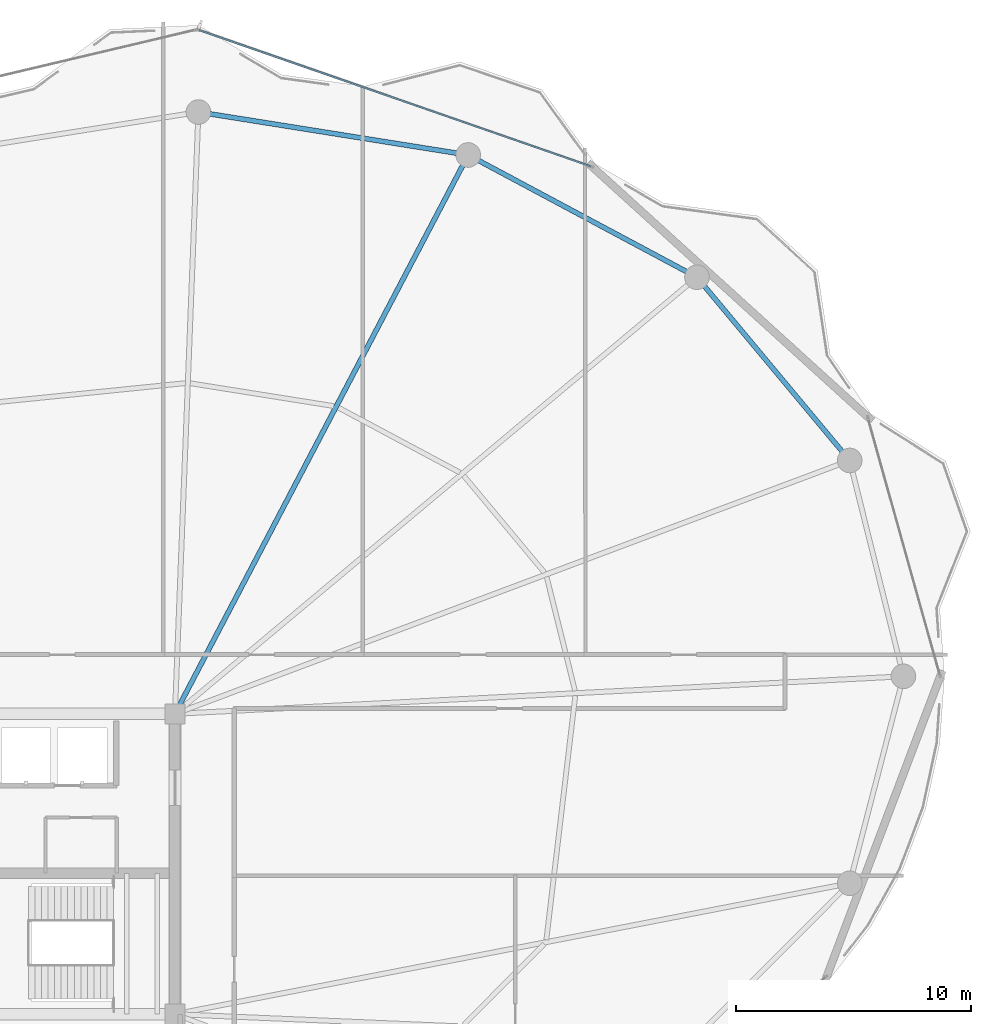
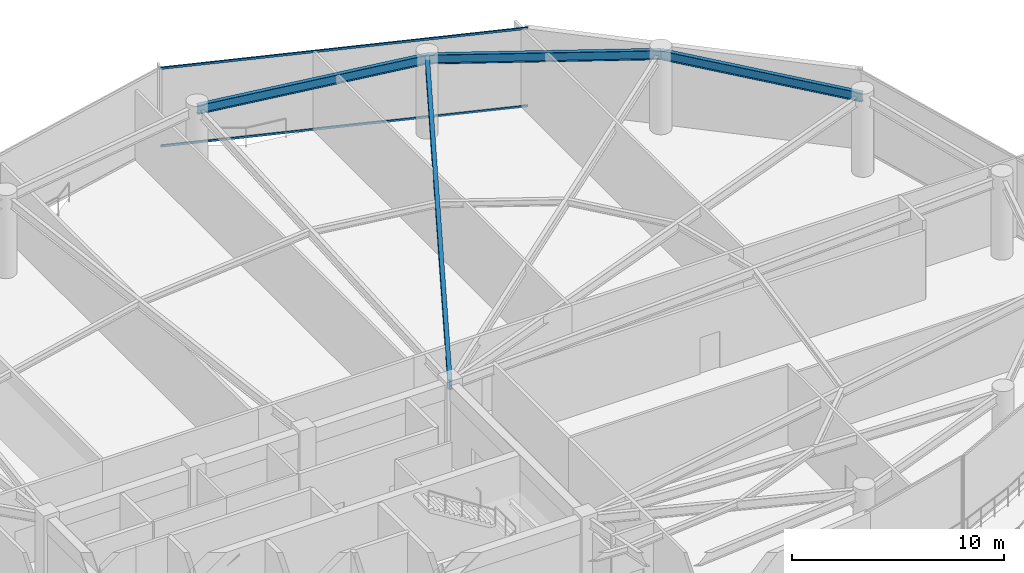
# One storey, part 20 of 28: 4 beams, 2 members, 1 element without a shape of its own.
"""IFC4 building model written with IfcOpenShell, lengths in metres."""

import ifcopenshell
import ifcopenshell.guid

model = None  # the IFC model being written
_history = None  # IfcOwnerHistory: only IFC2X3 demands one
_inside = {}  # id of a spatial element -> (the spatial element, [elements in it])
_under = {}  # id of a project, library or spatial element -> (it, [spatial elements below it])
_declared = {}  # id of a project -> (the project, [libraries it declares])
_typed = {}  # id of a type object -> (the type object, [elements of that type])
_made_of = {}  # id of a material, layer set ... -> (it, [elements and type objects made of it])


def new_model(schema):
    """Start an empty IFC model of exactly this schema.

    Asked for "IFC4X3", IfcOpenShell would pick the latest addendum, in which some entities
    have other attributes; the version numbers below select the first issue.
    IFC2X3 requires an IfcOwnerHistory on every rooted entity: one is made here for all.
    """
    global model, _history
    if schema == "IFC4X3":
        model = ifcopenshell.file(schema_version=(4, 3, 0, 0))
    else:
        model = ifcopenshell.file(schema=schema)
    _inside.clear()
    _under.clear()
    _declared.clear()
    _typed.clear()
    _made_of.clear()
    _history = None
    if model.schema == "IFC2X3":
        org = make("IfcOrganization", Name="unknown")
        user = make(
            "IfcPersonAndOrganization",
            ThePerson=make("IfcPerson", FamilyName="unknown"),
            TheOrganization=org,
        )
        app = make(
            "IfcApplication",
            ApplicationDeveloper=org,
            Version="unknown",
            ApplicationFullName="unknown",
            ApplicationIdentifier="unknown",
        )
        _history = make(
            "IfcOwnerHistory",
            OwningUser=user,
            OwningApplication=app,
            ChangeAction="ADDED",
            CreationDate=0,
        )
    return model


def make(cls, **values):
    """One entity of the class cls with the attributes given. An attribute that is None is left unset."""
    return model.create_entity(
        cls, **{name: value for name, value in values.items() if value is not None}
    )


def rooted(cls, **values):
    """An entity with a GlobalId (a new one), such as an element, a storey or a relation."""
    return make(cls, GlobalId=ifcopenshell.guid.new(), OwnerHistory=_history, **values)


def si_unit(unit_type, name, prefix=None):
    """IfcSIUnit, for example si_unit("LENGTHUNIT", "METRE", prefix="MILLI")."""
    return make("IfcSIUnit", UnitType=unit_type, Prefix=prefix, Name=name)


def assignment(units):
    """IfcUnitAssignment: the units of a project."""
    return None if units is None else make("IfcUnitAssignment", Units=units)


def point(xyz):
    """IfcCartesianPoint."""
    return None if xyz is None else make("IfcCartesianPoint", Coordinates=xyz)


def direction(xyz):
    """IfcDirection."""
    return None if xyz is None else make("IfcDirection", DirectionRatios=xyz)


def frame(location, z_axis=None, x_axis=None):
    """IfcAxis2Placement3D, a coordinate frame: its origin and axes. An axis left out is left unset."""
    return make(
        "IfcAxis2Placement3D",
        Location=point(location),
        Axis=direction(z_axis),
        RefDirection=direction(x_axis),
    )


def frame_2d(location, x_axis=None):
    """IfcAxis2Placement2D, a coordinate frame in the plane: its origin and x axis."""
    return make(
        "IfcAxis2Placement2D", Location=point(location), RefDirection=direction(x_axis)
    )


def origin():
    """The frame at (0, 0, 0) with its axes left unset."""
    return frame((0.0, 0.0, 0.0))


def origin_2d():
    """The frame at (0, 0) in the plane with its x axis left unset."""
    return frame_2d((0.0, 0.0))


def place(relative_to, where):
    """IfcLocalPlacement: puts the frame where relative to a parent placement (None: the world)."""
    return make(
        "IfcLocalPlacement", PlacementRelTo=relative_to, RelativePlacement=where
    )


def context(
    kind, dimensions, precision=None, world=None, true_north=None, identifier=None
):
    """IfcGeometricRepresentationContext, for example the 3D "Model" context."""
    return make(
        "IfcGeometricRepresentationContext",
        ContextIdentifier=identifier,
        ContextType=kind,
        CoordinateSpaceDimension=dimensions,
        Precision=precision,
        WorldCoordinateSystem=world,
        TrueNorth=true_north,
    )


def subcontext(parent, identifier, kind, view, scale=None):
    """IfcGeometricRepresentationSubContext, for example "Body" below "Model"."""
    return make(
        "IfcGeometricRepresentationSubContext",
        ContextIdentifier=identifier,
        ContextType=kind,
        ParentContext=parent,
        TargetScale=scale,
        TargetView=view,
    )


def project(units=None, contexts=None):
    """IfcProject with its units and contexts."""
    return rooted(
        "IfcProject",
        Name="project",
        RepresentationContexts=contexts,
        UnitsInContext=assignment(units),
    )


def spatial(cls, under=None, at=None, **own):
    """A site, building, storey or space (cls), placed at a placement, below another one or the project."""
    s = rooted(cls, ObjectPlacement=at, **own)
    if under is not None:
        _under.setdefault(under.id(), (under, []))[1].append(s)
    return s


def profile(cls, at=None, kind="AREA", **sizes):
    """A parametric profile (cls). Its sizes go by their IFC names, for example OverallWidth=200.0."""
    return make(cls, ProfileType=kind, Position=at, **sizes)


def hollow_rectangle(**sizes):
    """IfcRectangleHollowProfileDef."""
    return profile("IfcRectangleHollowProfileDef", **sizes)


def i_section(**sizes):
    """IfcIShapeProfileDef."""
    return profile("IfcIShapeProfileDef", **sizes)


def extrude(swept, where, along, depth):
    """IfcExtrudedAreaSolid: the profile swept, set in the frame where, extruded along a direction by depth."""
    return make(
        "IfcExtrudedAreaSolid",
        SweptArea=swept,
        Position=where,
        ExtrudedDirection=direction(along),
        Depth=depth,
    )


def shape(context_of_items, identifier, shape_type, items):
    """IfcShapeRepresentation: the items that make up one representation, for example the "Body"."""
    return make(
        "IfcShapeRepresentation",
        ContextOfItems=context_of_items,
        RepresentationIdentifier=identifier,
        RepresentationType=shape_type,
        Items=items,
    )


def material(Name=None, Category=None):
    """IfcMaterial."""
    return make("IfcMaterial", Name=Name, Category=Category)


def layer(
    of_material, thickness, ventilated=None, Name=None, Category=None, Priority=None
):
    """IfcMaterialLayer: one layer of a wall or slab, of a material (None: an air gap)."""
    return make(
        "IfcMaterialLayer",
        Material=of_material,
        LayerThickness=thickness,
        IsVentilated=ventilated,
        Name=Name,
        Category=Category,
        Priority=Priority,
    )


def layer_set(layers, Name=None):
    """IfcMaterialLayerSet."""
    return make("IfcMaterialLayerSet", MaterialLayers=layers, LayerSetName=Name)


def material_profile(
    of_material, cross_section, Name=None, Category=None, Priority=None
):
    """IfcMaterialProfile: a cross section and its material."""
    return make(
        "IfcMaterialProfile",
        Name=Name,
        Material=of_material,
        Profile=cross_section,
        Priority=Priority,
        Category=Category,
    )


def profile_set(profiles, Name=None, composite=None):
    """IfcMaterialProfileSet."""
    return make(
        "IfcMaterialProfileSet",
        Name=Name,
        MaterialProfiles=profiles,
        CompositeProfile=composite,
    )


def made_of(thing, what):
    """Note that an element or type object is made of a material, layer set ...; save() writes the relation."""
    if what is not None:
        _made_of.setdefault(what.id(), (what, []))[1].append(thing)
    return thing


def type_object(cls, material=None, **own):
    """A type object (cls), such as IfcWallType, which elements share."""
    return made_of(rooted(cls, **own), material)


def element(
    cls,
    number,
    at=None,
    inside=None,
    cuts=None,
    type_object=None,
    material=None,
    context=None,
    identifier="Body",
    shape_type=None,
    held_by="IfcProductDefinitionShape",
    body=None,
    shapes=None,
    **own,
):
    """One element of the class cls, such as IfcWall. Its Tag is "e" and its number.

    at: its placement. inside: the storey or other place that contains it. cuts: it is an
    opening in that element (IfcRelVoidsElement). A single representation is given by context,
    identifier, shape_type and body (its items); several are given by shapes. held_by: the class
    of the entity that holds the representations. save() writes the other relations.
    """
    e = rooted(cls, Tag="e%d" % number, ObjectPlacement=at, **own)
    if body is not None:
        shapes = [shape(context, identifier, shape_type, body)]
    if shapes is not None:
        e.Representation = make(held_by, Representations=shapes)
    if inside is not None:
        _inside.setdefault(inside.id(), (inside, []))[1].append(e)
    if cuts is not None:
        rooted(
            "IfcRelVoidsElement", RelatingBuildingElement=cuts, RelatedOpeningElement=e
        )
    if type_object is not None:
        _typed.setdefault(type_object.id(), (type_object, []))[1].append(e)
    return made_of(e, material)


def aggregate(whole, parts):
    """IfcRelAggregates: a whole, such as a stair, and the parts it consists of."""
    return rooted("IfcRelAggregates", RelatingObject=whole, RelatedObjects=parts)


def save(model, path):
    """Write the relations noted so far, then the file.

    IfcRelAggregates (storeys below a building ...), IfcRelContainedInSpatialStructure (elements
    in a storey), IfcRelDefinesByType, IfcRelAssociatesMaterial and IfcRelDeclares: one each for
    every whole, place, type object, material and project.
    """
    for whole, parts in _under.values():
        aggregate(whole, parts)
    for where, things in _inside.values():
        rooted(
            "IfcRelContainedInSpatialStructure",
            RelatedElements=things,
            RelatingStructure=where,
        )
    for kind, things in _typed.values():
        rooted("IfcRelDefinesByType", RelatedObjects=things, RelatingType=kind)
    for what, things in _made_of.values():
        rooted("IfcRelAssociatesMaterial", RelatedObjects=things, RelatingMaterial=what)
    for by, libraries in _declared.values():
        rooted("IfcRelDeclares", RelatingContext=by, RelatedDefinitions=libraries)
    model.write(path)


model = new_model("IFC4")

# Units and contexts
model_context = context("Model", 3, precision=1e-05, world=origin(), true_north=direction((0.0, 1.0)))
body_context = subcontext(model_context, "Body", "Model", "MODEL_VIEW")
ifc_project = project(units=[si_unit("LENGTHUNIT", "METRE"), si_unit("AREAUNIT", "SQUARE_METRE"), si_unit("VOLUMEUNIT", "CUBIC_METRE"), si_unit("PLANEANGLEUNIT", "RADIAN"), si_unit("MASSUNIT", "GRAM", prefix="KILO")], contexts=[model_context])

# Site, building, storey
site_placement = place(None, origin())
site = spatial("IfcSite", under=ifc_project, at=site_placement, CompositionType="ELEMENT")
building_placement = place(site_placement, origin())
building = spatial("IfcBuilding", under=site, at=building_placement, Name="Kazevale Care Tower and Concert Hall", CompositionType="ELEMENT")
storey_placement = place(building_placement, frame((0.0, 0.0, 190.800048828125)))
storey = spatial("IfcBuildingStorey", under=building, at=storey_placement, Name="L50", CompositionType="ELEMENT", Elevation=190.800048828125)

# Curtain wall, members
ifc_material_1 = material(Name="Aluminium 6063-T6 and Low-E Glass", Category="aluminium")
ifc_layer = layer(ifc_material_1, 0.179931640625)
ifc_layer_set = layer_set([ifc_layer], Name="Aluminium 6063-T6 and Low-E Glass")
curtain_wall_type = type_object("IfcCurtainWallType", Name="Convex Checkerboard Finned Curtain Wall CW-2", PredefinedType="NOTDEFINED", material=ifc_layer_set)
curtain_wall_placement = place(storey_placement, origin())
curtain_wall = element("IfcCurtainWall", 1, at=curtain_wall_placement, inside=storey, type_object=curtain_wall_type, Name="cw:L50:f16", PredefinedType="NOTDEFINED")
ifc_material_2 = material(Name="Aluminium 6063-T6", Category="aluminium")
ifc_material_profile_1 = material_profile(ifc_material_2, hollow_rectangle(XDim=0.074951171875, YDim=0.1201171875, WallThickness=0.00390625, at=origin_2d()), Name="ALU75x120x4")
ifc_profile_set_1 = profile_set([ifc_material_profile_1], Name="Aluminium 6063-T6")
member_type = type_object("IfcMemberType", Name="CW-2 Transom ALU75x120x4", PredefinedType="USERDEFINED", material=ifc_profile_set_1)
member_1_placement = place(storey_placement, frame((45.029541015625, 65.541748046875, 0.037353515625), z_axis=(0.944475733242, -0.328581176146, 0.0), x_axis=(0.328581176146, 0.944475733242, 0.0)))
member_1 = element("IfcMember", 2, at=member_1_placement, type_object=member_type, Name="CW-2 transom 1.1", ObjectType="TRANSOM", PredefinedType="USERDEFINED", context=body_context, shape_type="SweptSolid", body=[
    extrude(hollow_rectangle(XDim=0.074951171875, YDim=0.1201171875, WallThickness=0.00390625, at=origin_2d()), origin(), (0.0, 0.0, 1.0), 17.671142578125),
])
member_2_placement = place(storey_placement, frame((45.029541015625, 65.541748046875, 4.5224609375), z_axis=(0.944475733242, -0.328581176146, 0.0), x_axis=(0.328581176146, 0.944475733242, 0.0)))
member_2 = element("IfcMember", 3, at=member_2_placement, type_object=member_type, Name="CW-2 transom 1.2", ObjectType="TRANSOM", PredefinedType="USERDEFINED", context=body_context, shape_type="SweptSolid", body=[
    extrude(hollow_rectangle(XDim=0.074951171875, YDim=0.1201171875, WallThickness=0.00390625, at=origin_2d()), origin(), (0.0, 0.0, 1.0), 17.671142578125),
])
aggregate(curtain_wall, [member_1, member_2])

# Beams
ifc_material_3 = material(Name="Steel ASTM A572 Gr 50", Category="steel")
ifc_material_profile_2 = material_profile(ifc_material_3, i_section(OverallWidth=0.2119140625, OverallDepth=0.5439453125, WebThickness=0.01318359375, FlangeThickness=0.021240234375, at=origin_2d()), Name="W530x123")
ifc_profile_set_2 = profile_set([ifc_material_profile_2], Name="Steel ASTM A572 Gr 50")
beam_type_1 = type_object("IfcBeamType", Name="Radial Floor Girder W530x123", PredefinedType="BEAM", material=ifc_profile_set_2)
beam_1_placement = place(storey_placement, frame((44.0, 36.39990234375, 4.287841796875), z_axis=(0.464672566396, 0.885482583702, 0.0), x_axis=(-0.885482583702, 0.464672566396, 0.0)))
element("IfcBeam", 4, at=beam_1_placement, inside=storey, type_object=beam_type_1, Name="beam:L50:rad:04", PredefinedType="BEAM", context=body_context, shape_type="SweptSolid", body=[
    extrude(i_section(OverallWidth=0.2119140625, OverallDepth=0.5439453125, WebThickness=0.01318359375, FlangeThickness=0.021240234375, at=origin_2d()), origin(), (0.0, 0.0, 1.0), 26.900634765625),
])
ifc_material_profile_3 = material_profile(ifc_material_3, i_section(OverallWidth=0.208984375, OverallDepth=0.532958984375, WebThickness=0.01025390625, FlangeThickness=0.015625, at=origin_2d()), Name="W530x92")
ifc_profile_set_3 = profile_set([ifc_material_profile_3], Name="Steel ASTM A572 Gr 50")
beam_type_2 = type_object("IfcBeamType", Name="Upper Ring Beam W530x92", PredefinedType="BEAM", material=ifc_profile_set_3)
beam_2_placement = place(storey_placement, frame((72.760009765625, 47.199951171875, 4.29345703125), z_axis=(-0.640278868102, 0.768142546056, 0.0), x_axis=(-0.768142546056, -0.640278868102, 0.0)))
element("IfcBeam", 5, at=beam_2_placement, inside=storey, type_object=beam_type_2, Name="beam:L50:ring:02", PredefinedType="BEAM", context=body_context, shape_type="SweptSolid", body=[
    extrude(i_section(OverallWidth=0.208984375, OverallDepth=0.532958984375, WebThickness=0.01025390625, FlangeThickness=0.015625, at=origin_2d()), origin(), (0.0, 0.0, 1.0), 10.16748046875),
])
beam_3_placement = place(storey_placement, frame((66.25, 55.010009765625, 4.29345703125), z_axis=(-0.881978519833, 0.471289603697, 0.0), x_axis=(-0.471289603697, -0.881978519833, 0.0)))
element("IfcBeam", 6, at=beam_3_placement, inside=storey, type_object=beam_type_2, Name="beam:L50:ring:03", PredefinedType="BEAM", context=body_context, shape_type="SweptSolid", body=[
    extrude(i_section(OverallWidth=0.208984375, OverallDepth=0.532958984375, WebThickness=0.01025390625, FlangeThickness=0.015625, at=origin_2d()), origin(), (0.0, 0.0, 1.0), 11.0546875),
])
beam_4_placement = place(storey_placement, frame((56.5, 60.219970703125, 4.29345703125), z_axis=(-0.987573207584, 0.15715966296, 0.0), x_axis=(-0.15715966296, -0.987573207584, 0.0)))
element("IfcBeam", 7, at=beam_4_placement, inside=storey, type_object=beam_type_2, Name="beam:L50:ring:04", PredefinedType="BEAM", context=body_context, shape_type="SweptSolid", body=[
    extrude(i_section(OverallWidth=0.208984375, OverallDepth=0.532958984375, WebThickness=0.01025390625, FlangeThickness=0.015625, at=origin_2d()), origin(), (0.0, 0.0, 1.0), 11.644775390625),
])

save(model, "model.ifc")
